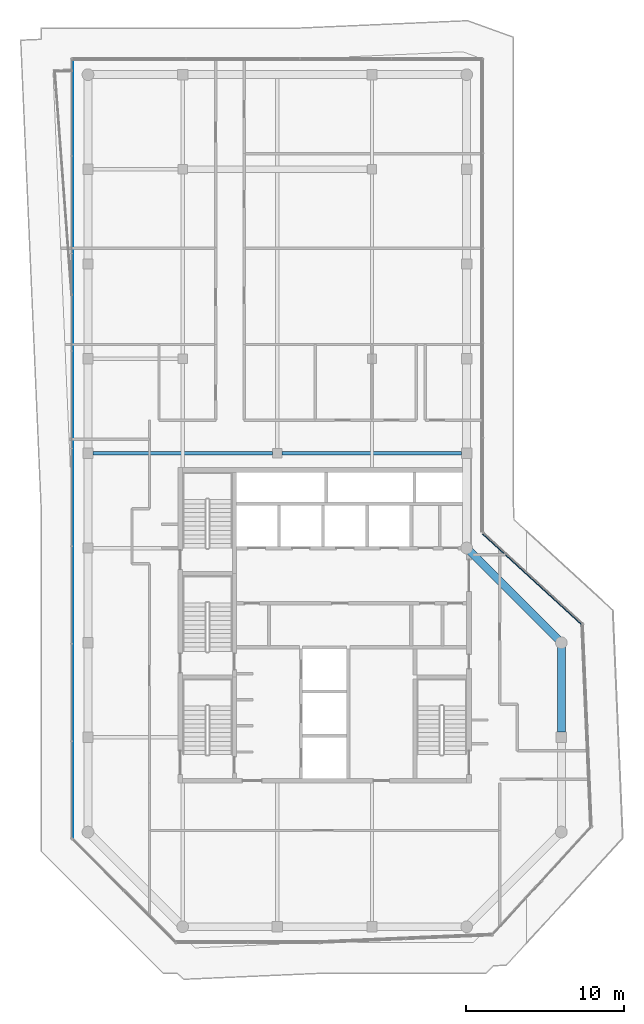
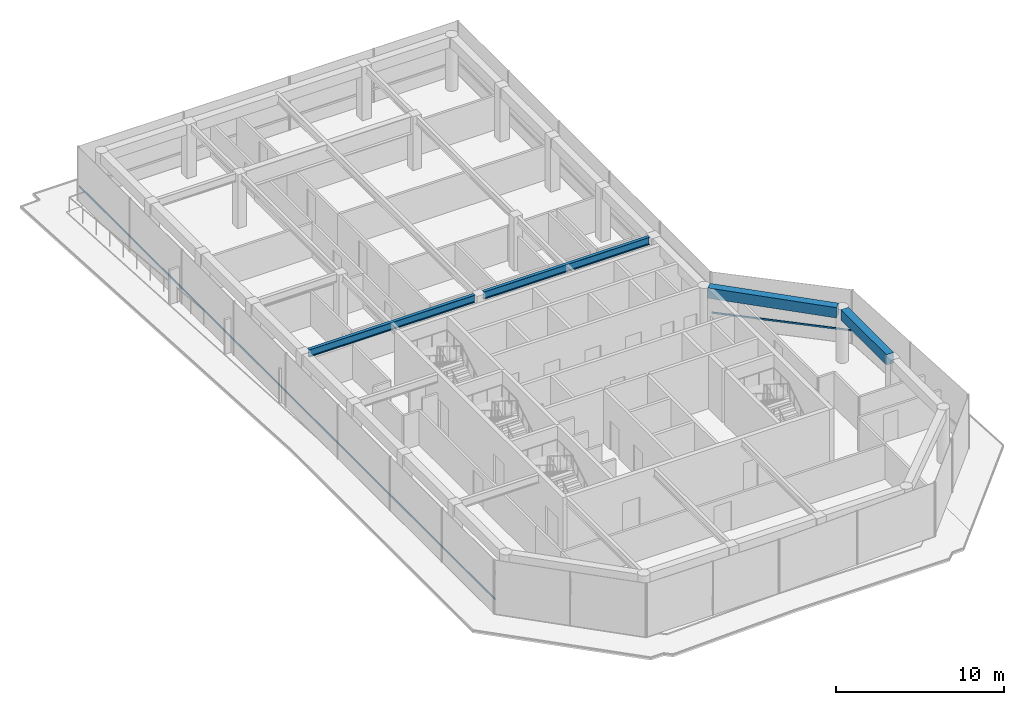
# One storey, part 5 of 19: 4 beams, 2 members, 2 elements without a shape of their own.
"""IFC4 building model written with IfcOpenShell, lengths in metres."""

from ifc_helpers import new_model, si_unit, direction, frame, origin, origin_2d, place, context, subcontext, project, spatial, rectangle, i_section, extrude, material, layer, layer_set, material_profile, profile_set, type_object, element, aggregate, save


model = new_model("IFC4")

# Units and contexts
model_context = context("Model", 3, precision=1e-05, world=origin(), true_north=direction((0.0, 1.0)))
body_context = subcontext(model_context, "Body", "Model", "MODEL_VIEW")
ifc_project = project(units=[si_unit("LENGTHUNIT", "METRE"), si_unit("AREAUNIT", "SQUARE_METRE"), si_unit("VOLUMEUNIT", "CUBIC_METRE"), si_unit("PLANEANGLEUNIT", "RADIAN"), si_unit("MASSUNIT", "GRAM", prefix="KILO")], contexts=[model_context])

# Site, building, storey
site_placement = place(None, origin())
site = spatial("IfcSite", under=ifc_project, at=site_placement, CompositionType="ELEMENT")
building_placement = place(site_placement, origin())
building = spatial("IfcBuilding", under=site, at=building_placement, Name="Welwitschia Terrace Campus", CompositionType="ELEMENT")
storey_placement = place(building_placement, frame((0.0, 0.0, 323.0)))
storey = spatial("IfcBuildingStorey", under=building, at=storey_placement, Name="L72", CompositionType="ELEMENT", Elevation=323.0)

# Beams
ifc_material_1 = material(Name="Steel S355", Category="steel")
ifc_material_profile_1 = material_profile(ifc_material_1, i_section(OverallWidth=0.2099609375, OverallDepth=0.550048828125, WebThickness=0.010986328125, FlangeThickness=0.01708984375, FilletRadius=0.02392578125, at=origin_2d()))
ifc_profile_set_1 = profile_set([ifc_material_profile_1], Name="Steel S355")
beam_type_1 = type_object("IfcBeamType", Name="Interior girder IPE 550", PredefinedType="BEAM", material=ifc_profile_set_1)
for number, where, z_axis, x_axis, name in (
    (1, (0.3154296875, 26.0, 3.625), (1.0, 0.0, 0.0), (0.0, 1.0, 0.0), "Girder GB7"),
    (2, (12.300537109375, 26.0, 3.625), (1.0, 0.0, 0.0), (0.0, 1.0, 0.0), "Girder GB7"),
):
    element("IfcBeam", number, at=place(storey_placement, frame(where, z_axis=z_axis, x_axis=x_axis)), inside=storey, type_object=beam_type_1, Name=name, PredefinedType="BEAM", context=body_context, shape_type="SweptSolid", body=[
        extrude(i_section(OverallWidth=0.2099609375, OverallDepth=0.550048828125, WebThickness=0.010986328125, FlangeThickness=0.01708984375, FilletRadius=0.02392578125, at=origin_2d()), origin(), (0.0, 0.0, 1.0), 11.384033203125),
    ])
ifc_material_2 = material(Name="Concrete C40/50", Category="concrete")
ifc_material_profile_2 = material_profile(ifc_material_2, rectangle(XDim=0.5, YDim=0.75, at=origin_2d()))
ifc_profile_set_2 = profile_set([ifc_material_profile_2], Name="Concrete C40/50")
beam_type_2 = type_object("IfcBeamType", Name="Ring spandrel 500x750", PredefinedType="SPANDREL", material=ifc_profile_set_2)
beam_1_placement = place(storey_placement, frame((30.0, 8.325439453125, 3.52490234375), z_axis=(0.0, 1.0, 0.0), x_axis=(-1.0, 0.0, 0.0)))
element("IfcBeam", 3, at=beam_1_placement, inside=storey, type_object=beam_type_2, Name="Spandrel SP5", PredefinedType="SPANDREL", context=body_context, shape_type="SweptSolid", body=[
    extrude(rectangle(XDim=0.5, YDim=0.75, at=origin_2d()), origin(), (0.0, 0.0, 1.0), 5.39404296875),
])
beam_2_placement = place(storey_placement, frame((29.8017578125, 14.1982421875, 3.52490234375), z_axis=(-0.707106781187, 0.707106781187, 0.0), x_axis=(-0.707106781187, -0.707106781187, 0.0)))
element("IfcBeam", 4, at=beam_2_placement, inside=storey, type_object=beam_type_2, Name="Spandrel SP5", PredefinedType="SPANDREL", context=body_context, shape_type="SweptSolid", body=[
    extrude(rectangle(XDim=0.5, YDim=0.75, at=origin_2d()), origin(), (0.0, 0.0, 1.0), 7.924560546875),
])

# Curtain wall, member
ifc_material_3 = material(Name="Bronze anodised aluminium", Category="aluminium")
ifc_layer = layer(ifc_material_3, 0.10009765625)
ifc_layer_set = layer_set([ifc_layer], Name="Bronze anodised aluminium")
curtain_wall_type = type_object("IfcCurtainWallType", Name="Curtain wall CW5 crown 6000", PredefinedType="NOTDEFINED", material=ifc_layer_set)
curtain_wall_1_placement = place(storey_placement, origin())
curtain_wall_1 = element("IfcCurtainWall", 5, at=curtain_wall_1_placement, inside=storey, type_object=curtain_wall_type, Name="CW L72.5.0", PredefinedType="NOTDEFINED")
ifc_material_4 = material(Name="Bronze anodised aluminium", Category="aluminium")
ifc_material_profile_3 = material_profile(ifc_material_4, rectangle(XDim=0.050048828125, YDim=0.1201171875, at=origin_2d()))
ifc_profile_set_3 = profile_set([ifc_material_profile_3], Name="Bronze anodised aluminium")
member_type = type_object("IfcMemberType", Name="Transom 50x120", PredefinedType="USERDEFINED", material=ifc_profile_set_3)
member_1_placement = place(storey_placement, frame((31.283935546875, 15.153076171875, 1.0), z_axis=(-0.737291215445, 0.675575061431, 0.0), x_axis=(-0.675575061431, -0.737291215445, 0.0)))
member_1 = element("IfcMember", 6, at=member_1_placement, type_object=member_type, Name="Transom L72.5.0", ObjectType="TRANSOM", PredefinedType="USERDEFINED", context=body_context, shape_type="SweptSolid", body=[
    extrude(rectangle(XDim=0.050048828125, YDim=0.1201171875, at=origin_2d()), origin(), (0.0, 0.0, 1.0), 8.501220703125),
])
aggregate(curtain_wall_1, [member_1])

curtain_wall_2_placement = place(storey_placement, origin())
curtain_wall_2 = element("IfcCurtainWall", 7, at=curtain_wall_2_placement, inside=storey, type_object=curtain_wall_type, Name="CW L72.9.0", PredefinedType="NOTDEFINED")
member_2_placement = place(storey_placement, frame((-0.955078125, 50.97998046875, 1.0), z_axis=(0.0, -1.0, 0.0), x_axis=(1.0, 0.0, 0.0)))
member_2 = element("IfcMember", 8, at=member_2_placement, type_object=member_type, Name="Transom L72.9.0", ObjectType="TRANSOM", PredefinedType="USERDEFINED", context=body_context, shape_type="SweptSolid", body=[
    extrude(rectangle(XDim=0.050048828125, YDim=0.1201171875, at=origin_2d()), origin(), (0.0, 0.0, 1.0), 49.356689453125),
])
aggregate(curtain_wall_2, [member_2])

save(model, "model.ifc")
